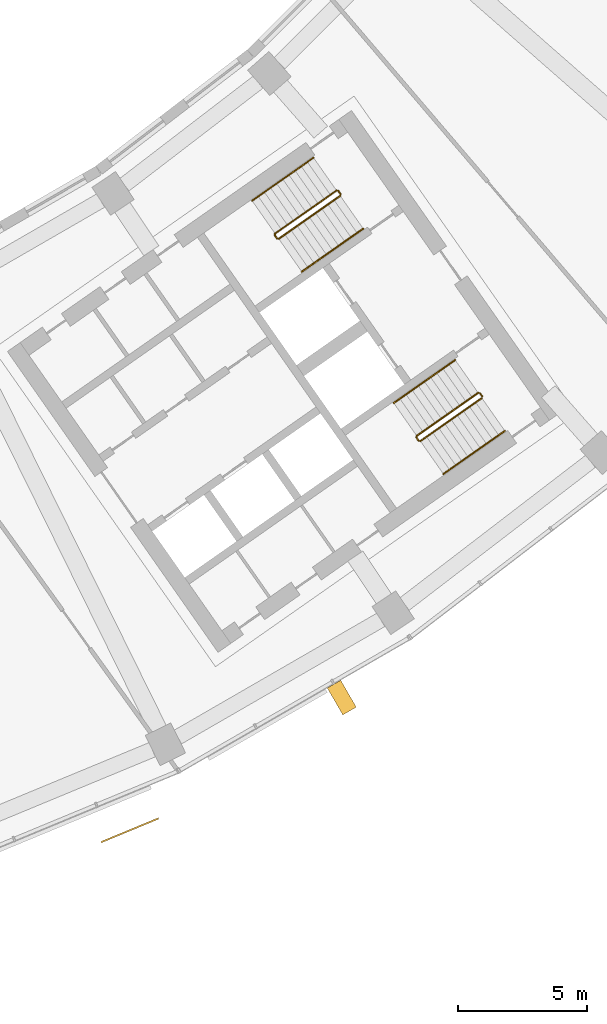
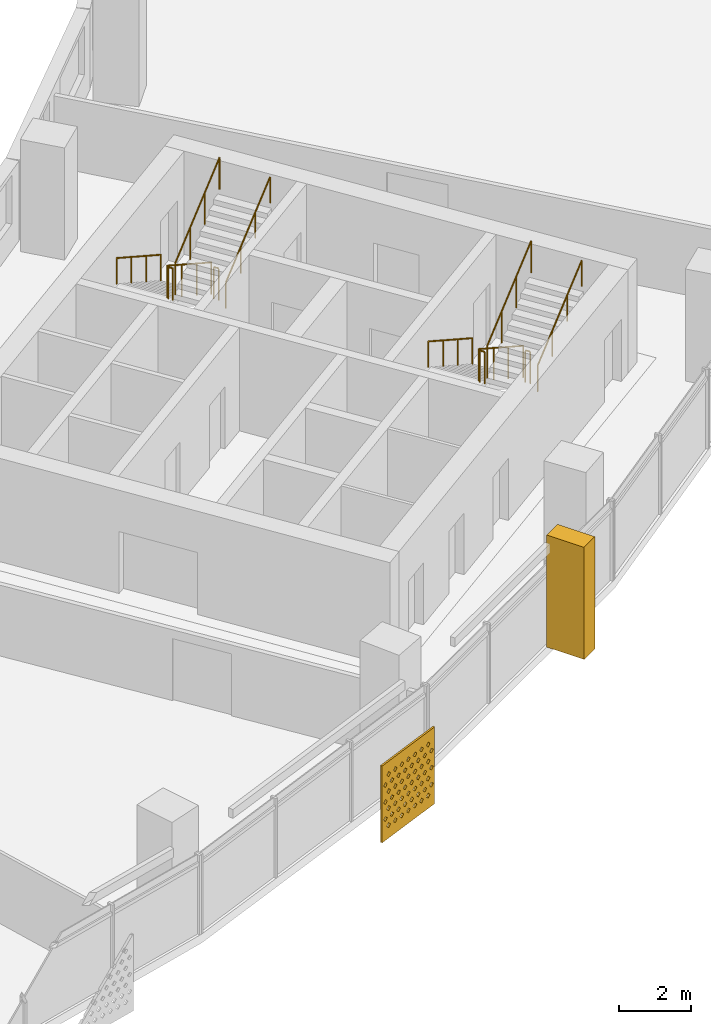
# One storey, part 26 of 27: 10 railings, 2 shading devices.
"""IFC4 building model written with IfcOpenShell, lengths in metres."""

from ifc_helpers import new_model, si_unit, direction, frame, origin, origin_2d, place, context, subcontext, project, spatial, polyline, circle, outline, extrude, material, material_profile, profile_set, type_object, element, save


model = new_model("IFC4")

# Units and contexts
model_context = context("Model", 3, precision=1e-05, world=origin(), true_north=direction((0.0, 1.0)))
body_context = subcontext(model_context, "Body", "Model", "MODEL_VIEW")
ifc_project = project(units=[si_unit("LENGTHUNIT", "METRE"), si_unit("AREAUNIT", "SQUARE_METRE"), si_unit("VOLUMEUNIT", "CUBIC_METRE"), si_unit("PLANEANGLEUNIT", "RADIAN"), si_unit("MASSUNIT", "GRAM", prefix="KILO")], contexts=[model_context])

# Site, building, storey
site_placement = place(None, origin())
site = spatial("IfcSite", under=ifc_project, at=site_placement, CompositionType="ELEMENT")
building_placement = place(site_placement, origin())
building = spatial("IfcBuilding", under=site, at=building_placement, Name="Qamariyya Broadcast Tower", CompositionType="ELEMENT")
storey_placement = place(building_placement, frame((0.0, 0.0, 175.89990234375)))
storey = spatial("IfcBuildingStorey", under=building, at=storey_placement, Name="L41", CompositionType="ELEMENT", Elevation=175.89990234375)

# Shading devices
ifc_material_1 = material(Name="Steel S355 powder coated deep red", Category="steel")
shading_device_type_1 = type_object("IfcShadingDeviceType", Name="Deep red frame, powder coated steel box section", PredefinedType="USERDEFINED", material=ifc_material_1)
shading_device_1_placement = place(storey_placement, origin())
element("IfcShadingDevice", 1, at=shading_device_1_placement, inside=storey, type_object=shading_device_type_1, Name="e-frm-B3-F5-posta-L41", ObjectType="FRAME", PredefinedType="USERDEFINED", context=body_context, shape_type="SweptSolid", body=[
    extrude(outline(polyline([(40.647216796875, -67.558349609375), (41.2470703125, -68.59765625), (41.766845703125, -68.297607421875), (41.166748046875, -67.25830078125), (40.647216796875, -67.558349609375)])), origin(), (0.0, 0.0, 1.0), 3.800048828125),
])
ifc_material_2 = material(Name="Perforated glazed terracotta", Category="masonry")
ifc_material_profile = material_profile(ifc_material_2, outline(polyline([(-1.199951171875, -1.300048828125), (1.199951171875, -1.300048828125), (1.199951171875, 1.300048828125), (-1.199951171875, 1.300048828125), (-1.199951171875, -1.300048828125)]), holes=[polyline([(-0.81494140625, -0.86669921875), (-0.89990234375, -0.78173828125), (-0.985107421875, -0.86669921875), (-0.89990234375, -0.95166015625), (-0.81494140625, -0.86669921875)]), polyline([(-0.514892578125, -0.86669921875), (-0.60009765625, -0.78173828125), (-0.68505859375, -0.86669921875), (-0.60009765625, -0.95166015625), (-0.514892578125, -0.86669921875)]), polyline([(-0.215087890625, -0.86669921875), (-0.300048828125, -0.78173828125), (-0.385009765625, -0.86669921875), (-0.300048828125, -0.95166015625), (-0.215087890625, -0.86669921875)]), polyline([(0.0849609375, -0.86669921875), (0.0, -0.78173828125), (-0.0849609375, -0.86669921875), (0.0, -0.95166015625), (0.0849609375, -0.86669921875)]), polyline([(0.385009765625, -0.86669921875), (0.300048828125, -0.78173828125), (0.215087890625, -0.86669921875), (0.300048828125, -0.95166015625), (0.385009765625, -0.86669921875)]), polyline([(0.68505859375, -0.86669921875), (0.60009765625, -0.78173828125), (0.514892578125, -0.86669921875), (0.60009765625, -0.95166015625), (0.68505859375, -0.86669921875)]), polyline([(0.985107421875, -0.86669921875), (0.89990234375, -0.78173828125), (0.81494140625, -0.86669921875), (0.89990234375, -0.95166015625), (0.985107421875, -0.86669921875)]), polyline([(-0.965087890625, -0.577880859375), (-1.050048828125, -0.49267578125), (-1.135009765625, -0.577880859375), (-1.050048828125, -0.662841796875), (-0.965087890625, -0.577880859375)]), polyline([(-0.6650390625, -0.577880859375), (-0.75, -0.49267578125), (-0.8349609375, -0.577880859375), (-0.75, -0.662841796875), (-0.6650390625, -0.577880859375)]), polyline([(-0.364990234375, -0.577880859375), (-0.449951171875, -0.49267578125), (-0.534912109375, -0.577880859375), (-0.449951171875, -0.662841796875), (-0.364990234375, -0.577880859375)]), polyline([(-0.06494140625, -0.577880859375), (-0.14990234375, -0.49267578125), (-0.235107421875, -0.577880859375), (-0.14990234375, -0.662841796875), (-0.06494140625, -0.577880859375)]), polyline([(0.235107421875, -0.577880859375), (0.14990234375, -0.49267578125), (0.06494140625, -0.577880859375), (0.14990234375, -0.662841796875), (0.235107421875, -0.577880859375)]), polyline([(0.534912109375, -0.577880859375), (0.449951171875, -0.49267578125), (0.364990234375, -0.577880859375), (0.449951171875, -0.662841796875), (0.534912109375, -0.577880859375)]), polyline([(0.8349609375, -0.577880859375), (0.75, -0.49267578125), (0.6650390625, -0.577880859375), (0.75, -0.662841796875), (0.8349609375, -0.577880859375)]), polyline([(1.135009765625, -0.577880859375), (1.050048828125, -0.49267578125), (0.965087890625, -0.577880859375), (1.050048828125, -0.662841796875), (1.135009765625, -0.577880859375)]), polyline([(-0.81494140625, -0.288818359375), (-0.89990234375, -0.203857421875), (-0.985107421875, -0.288818359375), (-0.89990234375, -0.373779296875), (-0.81494140625, -0.288818359375)]), polyline([(-0.514892578125, -0.288818359375), (-0.60009765625, -0.203857421875), (-0.68505859375, -0.288818359375), (-0.60009765625, -0.373779296875), (-0.514892578125, -0.288818359375)]), polyline([(-0.215087890625, -0.288818359375), (-0.300048828125, -0.203857421875), (-0.385009765625, -0.288818359375), (-0.300048828125, -0.373779296875), (-0.215087890625, -0.288818359375)]), polyline([(0.0849609375, -0.288818359375), (0.0, -0.203857421875), (-0.0849609375, -0.288818359375), (0.0, -0.373779296875), (0.0849609375, -0.288818359375)]), polyline([(0.385009765625, -0.288818359375), (0.300048828125, -0.203857421875), (0.215087890625, -0.288818359375), (0.300048828125, -0.373779296875), (0.385009765625, -0.288818359375)]), polyline([(0.68505859375, -0.288818359375), (0.60009765625, -0.203857421875), (0.514892578125, -0.288818359375), (0.60009765625, -0.373779296875), (0.68505859375, -0.288818359375)]), polyline([(0.985107421875, -0.288818359375), (0.89990234375, -0.203857421875), (0.81494140625, -0.288818359375), (0.89990234375, -0.373779296875), (0.985107421875, -0.288818359375)]), polyline([(-0.965087890625, 0.0), (-1.050048828125, 0.0849609375), (-1.135009765625, 0.0), (-1.050048828125, -0.0849609375), (-0.965087890625, 0.0)]), polyline([(-0.6650390625, 0.0), (-0.75, 0.0849609375), (-0.8349609375, 0.0), (-0.75, -0.0849609375), (-0.6650390625, 0.0)]), polyline([(-0.364990234375, 0.0), (-0.449951171875, 0.0849609375), (-0.534912109375, 0.0), (-0.449951171875, -0.0849609375), (-0.364990234375, 0.0)]), polyline([(-0.06494140625, 0.0), (-0.14990234375, 0.0849609375), (-0.235107421875, 0.0), (-0.14990234375, -0.0849609375), (-0.06494140625, 0.0)]), polyline([(0.235107421875, 0.0), (0.14990234375, 0.0849609375), (0.06494140625, 0.0), (0.14990234375, -0.0849609375), (0.235107421875, 0.0)]), polyline([(0.534912109375, 0.0), (0.449951171875, 0.0849609375), (0.364990234375, 0.0), (0.449951171875, -0.0849609375), (0.534912109375, 0.0)]), polyline([(0.8349609375, 0.0), (0.75, 0.0849609375), (0.6650390625, 0.0), (0.75, -0.0849609375), (0.8349609375, 0.0)]), polyline([(1.135009765625, 0.0), (1.050048828125, 0.0849609375), (0.965087890625, 0.0), (1.050048828125, -0.0849609375), (1.135009765625, 0.0)]), polyline([(-0.81494140625, 0.288818359375), (-0.89990234375, 0.373779296875), (-0.985107421875, 0.288818359375), (-0.89990234375, 0.203857421875), (-0.81494140625, 0.288818359375)]), polyline([(-0.514892578125, 0.288818359375), (-0.60009765625, 0.373779296875), (-0.68505859375, 0.288818359375), (-0.60009765625, 0.203857421875), (-0.514892578125, 0.288818359375)]), polyline([(-0.215087890625, 0.288818359375), (-0.300048828125, 0.373779296875), (-0.385009765625, 0.288818359375), (-0.300048828125, 0.203857421875), (-0.215087890625, 0.288818359375)]), polyline([(0.0849609375, 0.288818359375), (0.0, 0.373779296875), (-0.0849609375, 0.288818359375), (0.0, 0.203857421875), (0.0849609375, 0.288818359375)]), polyline([(0.385009765625, 0.288818359375), (0.300048828125, 0.373779296875), (0.215087890625, 0.288818359375), (0.300048828125, 0.203857421875), (0.385009765625, 0.288818359375)]), polyline([(0.68505859375, 0.288818359375), (0.60009765625, 0.373779296875), (0.514892578125, 0.288818359375), (0.60009765625, 0.203857421875), (0.68505859375, 0.288818359375)]), polyline([(0.985107421875, 0.288818359375), (0.89990234375, 0.373779296875), (0.81494140625, 0.288818359375), (0.89990234375, 0.203857421875), (0.985107421875, 0.288818359375)]), polyline([(-0.965087890625, 0.577880859375), (-1.050048828125, 0.662841796875), (-1.135009765625, 0.577880859375), (-1.050048828125, 0.49267578125), (-0.965087890625, 0.577880859375)]), polyline([(-0.6650390625, 0.577880859375), (-0.75, 0.662841796875), (-0.8349609375, 0.577880859375), (-0.75, 0.49267578125), (-0.6650390625, 0.577880859375)]), polyline([(-0.364990234375, 0.577880859375), (-0.449951171875, 0.662841796875), (-0.534912109375, 0.577880859375), (-0.449951171875, 0.49267578125), (-0.364990234375, 0.577880859375)]), polyline([(-0.06494140625, 0.577880859375), (-0.14990234375, 0.662841796875), (-0.235107421875, 0.577880859375), (-0.14990234375, 0.49267578125), (-0.06494140625, 0.577880859375)]), polyline([(0.235107421875, 0.577880859375), (0.14990234375, 0.662841796875), (0.06494140625, 0.577880859375), (0.14990234375, 0.49267578125), (0.235107421875, 0.577880859375)]), polyline([(0.534912109375, 0.577880859375), (0.449951171875, 0.662841796875), (0.364990234375, 0.577880859375), (0.449951171875, 0.49267578125), (0.534912109375, 0.577880859375)]), polyline([(0.8349609375, 0.577880859375), (0.75, 0.662841796875), (0.6650390625, 0.577880859375), (0.75, 0.49267578125), (0.8349609375, 0.577880859375)]), polyline([(1.135009765625, 0.577880859375), (1.050048828125, 0.662841796875), (0.965087890625, 0.577880859375), (1.050048828125, 0.49267578125), (1.135009765625, 0.577880859375)]), polyline([(-0.81494140625, 0.86669921875), (-0.89990234375, 0.95166015625), (-0.985107421875, 0.86669921875), (-0.89990234375, 0.78173828125), (-0.81494140625, 0.86669921875)]), polyline([(-0.514892578125, 0.86669921875), (-0.60009765625, 0.95166015625), (-0.68505859375, 0.86669921875), (-0.60009765625, 0.78173828125), (-0.514892578125, 0.86669921875)]), polyline([(-0.215087890625, 0.86669921875), (-0.300048828125, 0.95166015625), (-0.385009765625, 0.86669921875), (-0.300048828125, 0.78173828125), (-0.215087890625, 0.86669921875)]), polyline([(0.0849609375, 0.86669921875), (0.0, 0.95166015625), (-0.0849609375, 0.86669921875), (0.0, 0.78173828125), (0.0849609375, 0.86669921875)]), polyline([(0.385009765625, 0.86669921875), (0.300048828125, 0.95166015625), (0.215087890625, 0.86669921875), (0.300048828125, 0.78173828125), (0.385009765625, 0.86669921875)]), polyline([(0.68505859375, 0.86669921875), (0.60009765625, 0.95166015625), (0.514892578125, 0.86669921875), (0.60009765625, 0.78173828125), (0.68505859375, 0.86669921875)]), polyline([(0.985107421875, 0.86669921875), (0.89990234375, 0.95166015625), (0.81494140625, 0.86669921875), (0.89990234375, 0.78173828125), (0.985107421875, 0.86669921875)])]))
ifc_profile_set = profile_set([ifc_material_profile], Name="Perforated glazed terracotta")
shading_device_type_2 = type_object("IfcShadingDeviceType", Name="Perforated terracotta screen 2400 x 2600", PredefinedType="USERDEFINED", material=ifc_profile_set)
shading_device_2_placement = place(storey_placement, frame((33.00146484375, -73.03076171875, 1.35009765625), z_axis=(0.382591441855, -0.923917630863, 0.0), x_axis=(0.923917630863, 0.382591441855, 0.0)))
element("IfcShadingDevice", 2, at=shading_device_2_placement, inside=storey, type_object=shading_device_type_2, Name="e-scr-L41-10-2", ObjectType="SCREEN", PredefinedType="USERDEFINED", context=body_context, shape_type="SweptSolid", body=[
    extrude(outline(polyline([(-1.199951171875, -1.300048828125), (1.199951171875, -1.300048828125), (1.199951171875, 1.300048828125), (-1.199951171875, 1.300048828125), (-1.199951171875, -1.300048828125)]), holes=[polyline([(-0.81494140625, -0.86669921875), (-0.89990234375, -0.78173828125), (-0.985107421875, -0.86669921875), (-0.89990234375, -0.95166015625), (-0.81494140625, -0.86669921875)]), polyline([(-0.514892578125, -0.86669921875), (-0.60009765625, -0.78173828125), (-0.68505859375, -0.86669921875), (-0.60009765625, -0.95166015625), (-0.514892578125, -0.86669921875)]), polyline([(-0.215087890625, -0.86669921875), (-0.300048828125, -0.78173828125), (-0.385009765625, -0.86669921875), (-0.300048828125, -0.95166015625), (-0.215087890625, -0.86669921875)]), polyline([(0.0849609375, -0.86669921875), (0.0, -0.78173828125), (-0.0849609375, -0.86669921875), (0.0, -0.95166015625), (0.0849609375, -0.86669921875)]), polyline([(0.385009765625, -0.86669921875), (0.300048828125, -0.78173828125), (0.215087890625, -0.86669921875), (0.300048828125, -0.95166015625), (0.385009765625, -0.86669921875)]), polyline([(0.68505859375, -0.86669921875), (0.60009765625, -0.78173828125), (0.514892578125, -0.86669921875), (0.60009765625, -0.95166015625), (0.68505859375, -0.86669921875)]), polyline([(0.985107421875, -0.86669921875), (0.89990234375, -0.78173828125), (0.81494140625, -0.86669921875), (0.89990234375, -0.95166015625), (0.985107421875, -0.86669921875)]), polyline([(-0.965087890625, -0.577880859375), (-1.050048828125, -0.49267578125), (-1.135009765625, -0.577880859375), (-1.050048828125, -0.662841796875), (-0.965087890625, -0.577880859375)]), polyline([(-0.6650390625, -0.577880859375), (-0.75, -0.49267578125), (-0.8349609375, -0.577880859375), (-0.75, -0.662841796875), (-0.6650390625, -0.577880859375)]), polyline([(-0.364990234375, -0.577880859375), (-0.449951171875, -0.49267578125), (-0.534912109375, -0.577880859375), (-0.449951171875, -0.662841796875), (-0.364990234375, -0.577880859375)]), polyline([(-0.06494140625, -0.577880859375), (-0.14990234375, -0.49267578125), (-0.235107421875, -0.577880859375), (-0.14990234375, -0.662841796875), (-0.06494140625, -0.577880859375)]), polyline([(0.235107421875, -0.577880859375), (0.14990234375, -0.49267578125), (0.06494140625, -0.577880859375), (0.14990234375, -0.662841796875), (0.235107421875, -0.577880859375)]), polyline([(0.534912109375, -0.577880859375), (0.449951171875, -0.49267578125), (0.364990234375, -0.577880859375), (0.449951171875, -0.662841796875), (0.534912109375, -0.577880859375)]), polyline([(0.8349609375, -0.577880859375), (0.75, -0.49267578125), (0.6650390625, -0.577880859375), (0.75, -0.662841796875), (0.8349609375, -0.577880859375)]), polyline([(1.135009765625, -0.577880859375), (1.050048828125, -0.49267578125), (0.965087890625, -0.577880859375), (1.050048828125, -0.662841796875), (1.135009765625, -0.577880859375)]), polyline([(-0.81494140625, -0.288818359375), (-0.89990234375, -0.203857421875), (-0.985107421875, -0.288818359375), (-0.89990234375, -0.373779296875), (-0.81494140625, -0.288818359375)]), polyline([(-0.514892578125, -0.288818359375), (-0.60009765625, -0.203857421875), (-0.68505859375, -0.288818359375), (-0.60009765625, -0.373779296875), (-0.514892578125, -0.288818359375)]), polyline([(-0.215087890625, -0.288818359375), (-0.300048828125, -0.203857421875), (-0.385009765625, -0.288818359375), (-0.300048828125, -0.373779296875), (-0.215087890625, -0.288818359375)]), polyline([(0.0849609375, -0.288818359375), (0.0, -0.203857421875), (-0.0849609375, -0.288818359375), (0.0, -0.373779296875), (0.0849609375, -0.288818359375)]), polyline([(0.385009765625, -0.288818359375), (0.300048828125, -0.203857421875), (0.215087890625, -0.288818359375), (0.300048828125, -0.373779296875), (0.385009765625, -0.288818359375)]), polyline([(0.68505859375, -0.288818359375), (0.60009765625, -0.203857421875), (0.514892578125, -0.288818359375), (0.60009765625, -0.373779296875), (0.68505859375, -0.288818359375)]), polyline([(0.985107421875, -0.288818359375), (0.89990234375, -0.203857421875), (0.81494140625, -0.288818359375), (0.89990234375, -0.373779296875), (0.985107421875, -0.288818359375)]), polyline([(-0.965087890625, 0.0), (-1.050048828125, 0.0849609375), (-1.135009765625, 0.0), (-1.050048828125, -0.0849609375), (-0.965087890625, 0.0)]), polyline([(-0.6650390625, 0.0), (-0.75, 0.0849609375), (-0.8349609375, 0.0), (-0.75, -0.0849609375), (-0.6650390625, 0.0)]), polyline([(-0.364990234375, 0.0), (-0.449951171875, 0.0849609375), (-0.534912109375, 0.0), (-0.449951171875, -0.0849609375), (-0.364990234375, 0.0)]), polyline([(-0.06494140625, 0.0), (-0.14990234375, 0.0849609375), (-0.235107421875, 0.0), (-0.14990234375, -0.0849609375), (-0.06494140625, 0.0)]), polyline([(0.235107421875, 0.0), (0.14990234375, 0.0849609375), (0.06494140625, 0.0), (0.14990234375, -0.0849609375), (0.235107421875, 0.0)]), polyline([(0.534912109375, 0.0), (0.449951171875, 0.0849609375), (0.364990234375, 0.0), (0.449951171875, -0.0849609375), (0.534912109375, 0.0)]), polyline([(0.8349609375, 0.0), (0.75, 0.0849609375), (0.6650390625, 0.0), (0.75, -0.0849609375), (0.8349609375, 0.0)]), polyline([(1.135009765625, 0.0), (1.050048828125, 0.0849609375), (0.965087890625, 0.0), (1.050048828125, -0.0849609375), (1.135009765625, 0.0)]), polyline([(-0.81494140625, 0.288818359375), (-0.89990234375, 0.373779296875), (-0.985107421875, 0.288818359375), (-0.89990234375, 0.203857421875), (-0.81494140625, 0.288818359375)]), polyline([(-0.514892578125, 0.288818359375), (-0.60009765625, 0.373779296875), (-0.68505859375, 0.288818359375), (-0.60009765625, 0.203857421875), (-0.514892578125, 0.288818359375)]), polyline([(-0.215087890625, 0.288818359375), (-0.300048828125, 0.373779296875), (-0.385009765625, 0.288818359375), (-0.300048828125, 0.203857421875), (-0.215087890625, 0.288818359375)]), polyline([(0.0849609375, 0.288818359375), (0.0, 0.373779296875), (-0.0849609375, 0.288818359375), (0.0, 0.203857421875), (0.0849609375, 0.288818359375)]), polyline([(0.385009765625, 0.288818359375), (0.300048828125, 0.373779296875), (0.215087890625, 0.288818359375), (0.300048828125, 0.203857421875), (0.385009765625, 0.288818359375)]), polyline([(0.68505859375, 0.288818359375), (0.60009765625, 0.373779296875), (0.514892578125, 0.288818359375), (0.60009765625, 0.203857421875), (0.68505859375, 0.288818359375)]), polyline([(0.985107421875, 0.288818359375), (0.89990234375, 0.373779296875), (0.81494140625, 0.288818359375), (0.89990234375, 0.203857421875), (0.985107421875, 0.288818359375)]), polyline([(-0.965087890625, 0.577880859375), (-1.050048828125, 0.662841796875), (-1.135009765625, 0.577880859375), (-1.050048828125, 0.49267578125), (-0.965087890625, 0.577880859375)]), polyline([(-0.6650390625, 0.577880859375), (-0.75, 0.662841796875), (-0.8349609375, 0.577880859375), (-0.75, 0.49267578125), (-0.6650390625, 0.577880859375)]), polyline([(-0.364990234375, 0.577880859375), (-0.449951171875, 0.662841796875), (-0.534912109375, 0.577880859375), (-0.449951171875, 0.49267578125), (-0.364990234375, 0.577880859375)]), polyline([(-0.06494140625, 0.577880859375), (-0.14990234375, 0.662841796875), (-0.235107421875, 0.577880859375), (-0.14990234375, 0.49267578125), (-0.06494140625, 0.577880859375)]), polyline([(0.235107421875, 0.577880859375), (0.14990234375, 0.662841796875), (0.06494140625, 0.577880859375), (0.14990234375, 0.49267578125), (0.235107421875, 0.577880859375)]), polyline([(0.534912109375, 0.577880859375), (0.449951171875, 0.662841796875), (0.364990234375, 0.577880859375), (0.449951171875, 0.49267578125), (0.534912109375, 0.577880859375)]), polyline([(0.8349609375, 0.577880859375), (0.75, 0.662841796875), (0.6650390625, 0.577880859375), (0.75, 0.49267578125), (0.8349609375, 0.577880859375)]), polyline([(1.135009765625, 0.577880859375), (1.050048828125, 0.662841796875), (0.965087890625, 0.577880859375), (1.050048828125, 0.49267578125), (1.135009765625, 0.577880859375)]), polyline([(-0.81494140625, 0.86669921875), (-0.89990234375, 0.95166015625), (-0.985107421875, 0.86669921875), (-0.89990234375, 0.78173828125), (-0.81494140625, 0.86669921875)]), polyline([(-0.514892578125, 0.86669921875), (-0.60009765625, 0.95166015625), (-0.68505859375, 0.86669921875), (-0.60009765625, 0.78173828125), (-0.514892578125, 0.86669921875)]), polyline([(-0.215087890625, 0.86669921875), (-0.300048828125, 0.95166015625), (-0.385009765625, 0.86669921875), (-0.300048828125, 0.78173828125), (-0.215087890625, 0.86669921875)]), polyline([(0.0849609375, 0.86669921875), (0.0, 0.95166015625), (-0.0849609375, 0.86669921875), (0.0, 0.78173828125), (0.0849609375, 0.86669921875)]), polyline([(0.385009765625, 0.86669921875), (0.300048828125, 0.95166015625), (0.215087890625, 0.86669921875), (0.300048828125, 0.78173828125), (0.385009765625, 0.86669921875)]), polyline([(0.68505859375, 0.86669921875), (0.60009765625, 0.95166015625), (0.514892578125, 0.86669921875), (0.60009765625, 0.78173828125), (0.68505859375, 0.86669921875)]), polyline([(0.985107421875, 0.86669921875), (0.89990234375, 0.95166015625), (0.81494140625, 0.86669921875), (0.89990234375, 0.78173828125), (0.985107421875, 0.86669921875)])]), origin(), (0.0, 0.0, 1.0), 0.06005859375),
])

# Railings
ifc_material_3 = material(Name="Painted steel", Category="steel")
railing_type_1 = type_object("IfcRailingType", Name="Stair guard", PredefinedType="GUARDRAIL", material=ifc_material_3)
railing_1_placement = place(storey_placement, frame((41.003173828125, -48.320068359375, 0.1728515625)))
element("IfcRailing", 3, at=railing_1_placement, inside=storey, type_object=railing_type_1, Name="L41 ST-E2 stair guard 1", PredefinedType="GUARDRAIL", context=body_context, shape_type="SweptSolid", body=[
    extrude(circle(Radius=0.02392578125, at=origin_2d()), frame((0.0, 0.0, 1.076171875), z_axis=(-0.703770094002, -0.492783725636, 0.511734163933), x_axis=(0.573575343427, -0.819152809562, 0.0)), (0.0, 0.0, 1.0), 3.37548828125),
    extrude(circle(Radius=0.02392578125, at=origin_2d()), frame((-2.37548828125, -1.663330078125, 2.80322265625), z_axis=(-0.172799478008, -0.984957024646, 0.0), x_axis=(0.984957024646, -0.172799478008, 0.0)), (0.0, 0.0, 1.0), 0.070556640625),
    extrude(circle(Radius=0.02392578125, at=origin_2d()), frame((-2.3876953125, -1.73291015625, 2.80322265625), z_axis=(0.572588637393, -0.819842821722, 0.0), x_axis=(0.819842821722, 0.572588637393, 0.0)), (0.0, 0.0, 1.0), 0.150146484375),
    extrude(circle(Radius=0.02099609375, at=origin_2d()), origin(), (0.0, 0.0, 1.0), 1.052001953125),
    extrude(circle(Radius=0.02099609375, at=origin_2d()), frame((-0.791748046875, -0.554443359375, 0.57568359375)), (0.0, 0.0, 1.0), 1.052001953125),
    extrude(circle(Radius=0.02099609375, at=origin_2d()), frame((-1.583740234375, -1.10888671875, 1.151611328125)), (0.0, 0.0, 1.0), 1.052001953125),
    extrude(circle(Radius=0.02099609375, at=origin_2d()), frame((-2.37548828125, -1.663330078125, 1.727294921875)), (0.0, 0.0, 1.0), 1.052001953125),
    extrude(circle(Radius=0.02099609375, at=origin_2d()), frame((-2.3876953125, -1.73291015625, 1.727294921875)), (0.0, 0.0, 1.0), 1.052001953125),
    extrude(circle(Radius=0.02099609375, at=origin_2d()), frame((-2.3017578125, -1.85595703125, 1.727294921875)), (0.0, 0.0, 1.0), 1.052001953125),
])
railing_2_placement = place(storey_placement, frame((38.771240234375, -50.188232421875, 2.07275390625)))
element("IfcRailing", 4, at=railing_2_placement, inside=storey, type_object=railing_type_1, Name="L41 ST-E2 stair guard 2", PredefinedType="GUARDRAIL", context=body_context, shape_type="SweptSolid", body=[
    extrude(circle(Radius=0.02392578125, at=origin_2d()), frame((0.0, 0.0, 1.076171875), z_axis=(0.703770094002, 0.492783725636, 0.511734163933), x_axis=(-0.573575343427, 0.819152809562, 0.0)), (0.0, 0.0, 1.0), 3.37548828125),
    extrude(circle(Radius=0.02099609375, at=origin_2d()), origin(), (0.0, 0.0, 1.0), 1.052001953125),
    extrude(circle(Radius=0.02099609375, at=origin_2d()), frame((0.791748046875, 0.554443359375, 0.57568359375)), (0.0, 0.0, 1.0), 1.052001953125),
    extrude(circle(Radius=0.02099609375, at=origin_2d()), frame((1.583740234375, 1.10888671875, 1.151611328125)), (0.0, 0.0, 1.0), 1.052001953125),
    extrude(circle(Radius=0.02099609375, at=origin_2d()), frame((2.37548828125, 1.663330078125, 1.727294921875)), (0.0, 0.0, 1.0), 1.052001953125),
])
railing_3_placement = place(storey_placement, frame((41.072998046875, -48.332275390625, 0.0)))
element("IfcRailing", 5, at=railing_3_placement, inside=storey, type_object=railing_type_1, Name="L41 ST-E2 stair guard 3", PredefinedType="GUARDRAIL", context=body_context, shape_type="SweptSolid", body=[
    extrude(circle(Radius=0.02392578125, at=origin_2d()), frame((0.0, 0.0, 1.076171875), z_axis=(0.572588637393, -0.819842821722, 0.0), x_axis=(0.819842821722, 0.572588637393, 0.0)), (0.0, 0.0, 1.0), 0.150146484375),
    extrude(circle(Radius=0.02099609375, at=origin_2d()), origin(), (0.0, 0.0, 1.0), 1.052001953125),
    extrude(circle(Radius=0.02099609375, at=origin_2d()), frame((0.0859375, -0.123046875, 0.0)), (0.0, 0.0, 1.0), 1.052001953125),
])
railing_4_placement = place(storey_placement, frame((46.48095703125, -56.14306640625, 0.1728515625)))
element("IfcRailing", 6, at=railing_4_placement, inside=storey, type_object=railing_type_1, Name="L41 ST-E1 stair guard 1", PredefinedType="GUARDRAIL", context=body_context, shape_type="SweptSolid", body=[
    extrude(circle(Radius=0.02392578125, at=origin_2d()), frame((0.0, 0.0, 1.076171875), z_axis=(-0.703770094002, -0.492783725636, 0.511734163933), x_axis=(0.573575343427, -0.819152809562, 0.0)), (0.0, 0.0, 1.0), 3.37548828125),
    extrude(circle(Radius=0.02392578125, at=origin_2d()), frame((-2.37548828125, -1.663330078125, 2.80322265625), z_axis=(-0.176149252506, -0.984363469884, 0.0), x_axis=(0.984363469884, -0.176149252506, 0.0)), (0.0, 0.0, 1.0), 0.07080078125),
    extrude(circle(Radius=0.02392578125, at=origin_2d()), frame((-2.387939453125, -1.73291015625, 2.80322265625), z_axis=(0.574444878118, -0.818543268254, 0.0), x_axis=(0.818543268254, 0.574444878118, 0.0)), (0.0, 0.0, 1.0), 0.150146484375),
    extrude(circle(Radius=0.02099609375, at=origin_2d()), origin(), (0.0, 0.0, 1.0), 1.052001953125),
    extrude(circle(Radius=0.02099609375, at=origin_2d()), frame((-0.791748046875, -0.554443359375, 0.57568359375)), (0.0, 0.0, 1.0), 1.052001953125),
    extrude(circle(Radius=0.02099609375, at=origin_2d()), frame((-1.583740234375, -1.10888671875, 1.151611328125)), (0.0, 0.0, 1.0), 1.052001953125),
    extrude(circle(Radius=0.02099609375, at=origin_2d()), frame((-2.37548828125, -1.663330078125, 1.727294921875)), (0.0, 0.0, 1.0), 1.052001953125),
    extrude(circle(Radius=0.02099609375, at=origin_2d()), frame((-2.387939453125, -1.73291015625, 1.727294921875)), (0.0, 0.0, 1.0), 1.052001953125),
    extrude(circle(Radius=0.02099609375, at=origin_2d()), frame((-2.3017578125, -1.855712890625, 1.727294921875)), (0.0, 0.0, 1.0), 1.052001953125),
])
railing_5_placement = place(storey_placement, frame((44.248779296875, -58.01123046875, 2.07275390625)))
element("IfcRailing", 7, at=railing_5_placement, inside=storey, type_object=railing_type_1, Name="L41 ST-E1 stair guard 2", PredefinedType="GUARDRAIL", context=body_context, shape_type="SweptSolid", body=[
    extrude(circle(Radius=0.02392578125, at=origin_2d()), frame((0.0, 0.0, 1.076171875), z_axis=(0.703745009021, 0.492838488332, 0.511715923826), x_axis=(-0.573631830683, 0.819113253969, 0.0)), (0.0, 0.0, 1.0), 3.37548828125),
    extrude(circle(Radius=0.02099609375, at=origin_2d()), origin(), (0.0, 0.0, 1.0), 1.052001953125),
    extrude(circle(Radius=0.02099609375, at=origin_2d()), frame((0.791748046875, 0.554443359375, 0.57568359375)), (0.0, 0.0, 1.0), 1.052001953125),
    extrude(circle(Radius=0.02099609375, at=origin_2d()), frame((1.583740234375, 1.109130859375, 1.151611328125)), (0.0, 0.0, 1.0), 1.052001953125),
    extrude(circle(Radius=0.02099609375, at=origin_2d()), frame((2.37548828125, 1.66357421875, 1.727294921875)), (0.0, 0.0, 1.0), 1.052001953125),
])
railing_6_placement = place(storey_placement, frame((46.550537109375, -56.1552734375, 0.0)))
element("IfcRailing", 8, at=railing_6_placement, inside=storey, type_object=railing_type_1, Name="L41 ST-E1 stair guard 3", PredefinedType="GUARDRAIL", context=body_context, shape_type="SweptSolid", body=[
    extrude(circle(Radius=0.02392578125, at=origin_2d()), frame((0.0, 0.0, 1.076171875), z_axis=(0.574444878118, -0.818543268254, 0.0), x_axis=(0.818543268254, 0.574444878118, 0.0)), (0.0, 0.0, 1.0), 0.150146484375),
    extrude(circle(Radius=0.02099609375, at=origin_2d()), origin(), (0.0, 0.0, 1.0), 1.052001953125),
    extrude(circle(Radius=0.02099609375, at=origin_2d()), frame((0.086181640625, -0.122802734375, 0.0)), (0.0, 0.0, 1.0), 1.052001953125),
])
ifc_material_4 = material(Name="Stainless steel", Category="steel")
railing_type_2 = type_object("IfcRailingType", Name="Stair handrail", PredefinedType="HANDRAIL", material=ifc_material_4)
railing_7_placement = place(storey_placement, frame((40.1142578125, -47.05029296875, 0.1728515625)))
element("IfcRailing", 9, at=railing_7_placement, inside=storey, type_object=railing_type_2, Name="L41 ST-E2 stair handrail 1", PredefinedType="HANDRAIL", context=body_context, shape_type="SweptSolid", body=[
    extrude(circle(Radius=0.02392578125, at=origin_2d()), frame((0.0, 0.0, 0.8759765625), z_axis=(-0.703745009021, -0.492838488332, 0.511715923826), x_axis=(0.573631830683, -0.819113253969, 0.0)), (0.0, 0.0, 1.0), 3.37548828125),
    extrude(circle(Radius=0.02099609375, at=origin_2d()), origin(), (0.0, 0.0, 1.0), 0.851806640625),
    extrude(circle(Radius=0.02099609375, at=origin_2d()), frame((-0.791748046875, -0.554443359375, 0.57568359375)), (0.0, 0.0, 1.0), 0.851806640625),
    extrude(circle(Radius=0.02099609375, at=origin_2d()), frame((-1.583740234375, -1.109130859375, 1.151611328125)), (0.0, 0.0, 1.0), 0.851806640625),
    extrude(circle(Radius=0.02099609375, at=origin_2d()), frame((-2.37548828125, -1.66357421875, 1.727294921875)), (0.0, 0.0, 1.0), 0.851806640625),
])
railing_8_placement = place(storey_placement, frame((39.66015625, -51.4580078125, 2.07275390625)))
element("IfcRailing", 10, at=railing_8_placement, inside=storey, type_object=railing_type_2, Name="L41 ST-E2 stair handrail 2", PredefinedType="HANDRAIL", context=body_context, shape_type="SweptSolid", body=[
    extrude(circle(Radius=0.02392578125, at=origin_2d()), frame((0.0, 0.0, 0.8759765625), z_axis=(0.703745009021, 0.492838488332, 0.511715923826), x_axis=(-0.573631830683, 0.819113253969, 0.0)), (0.0, 0.0, 1.0), 3.37548828125),
    extrude(circle(Radius=0.02099609375, at=origin_2d()), origin(), (0.0, 0.0, 1.0), 0.851806640625),
    extrude(circle(Radius=0.02099609375, at=origin_2d()), frame((0.791748046875, 0.554443359375, 0.57568359375)), (0.0, 0.0, 1.0), 0.851806640625),
    extrude(circle(Radius=0.02099609375, at=origin_2d()), frame((1.583740234375, 1.109130859375, 1.151611328125)), (0.0, 0.0, 1.0), 0.851806640625),
    extrude(circle(Radius=0.02099609375, at=origin_2d()), frame((2.37548828125, 1.66357421875, 1.727294921875)), (0.0, 0.0, 1.0), 0.851806640625),
])
railing_9_placement = place(storey_placement, frame((45.591796875, -54.873291015625, 0.1728515625)))
element("IfcRailing", 11, at=railing_9_placement, inside=storey, type_object=railing_type_2, Name="L41 ST-E1 stair handrail 1", PredefinedType="HANDRAIL", context=body_context, shape_type="SweptSolid", body=[
    extrude(circle(Radius=0.02392578125, at=origin_2d()), frame((0.0, 0.0, 0.8759765625), z_axis=(-0.703770094002, -0.492783725636, 0.511734163933), x_axis=(0.573575343427, -0.819152809562, 0.0)), (0.0, 0.0, 1.0), 3.37548828125),
    extrude(circle(Radius=0.02099609375, at=origin_2d()), origin(), (0.0, 0.0, 1.0), 0.851806640625),
    extrude(circle(Radius=0.02099609375, at=origin_2d()), frame((-0.791748046875, -0.554443359375, 0.57568359375)), (0.0, 0.0, 1.0), 0.851806640625),
    extrude(circle(Radius=0.02099609375, at=origin_2d()), frame((-1.583740234375, -1.10888671875, 1.151611328125)), (0.0, 0.0, 1.0), 0.851806640625),
    extrude(circle(Radius=0.02099609375, at=origin_2d()), frame((-2.37548828125, -1.663330078125, 1.727294921875)), (0.0, 0.0, 1.0), 0.851806640625),
])
railing_10_placement = place(storey_placement, frame((45.137939453125, -59.28076171875, 2.07275390625)))
element("IfcRailing", 12, at=railing_10_placement, inside=storey, type_object=railing_type_2, Name="L41 ST-E1 stair handrail 2", PredefinedType="HANDRAIL", context=body_context, shape_type="SweptSolid", body=[
    extrude(circle(Radius=0.02392578125, at=origin_2d()), frame((0.0, 0.0, 0.8759765625), z_axis=(0.703770094002, 0.492783725636, 0.511734163933), x_axis=(-0.573575343427, 0.819152809562, 0.0)), (0.0, 0.0, 1.0), 3.37548828125),
    extrude(circle(Radius=0.02099609375, at=origin_2d()), origin(), (0.0, 0.0, 1.0), 0.851806640625),
    extrude(circle(Radius=0.02099609375, at=origin_2d()), frame((0.791748046875, 0.554443359375, 0.57568359375)), (0.0, 0.0, 1.0), 0.851806640625),
    extrude(circle(Radius=0.02099609375, at=origin_2d()), frame((1.583740234375, 1.10888671875, 1.151611328125)), (0.0, 0.0, 1.0), 0.851806640625),
    extrude(circle(Radius=0.02099609375, at=origin_2d()), frame((2.37548828125, 1.663330078125, 1.727294921875)), (0.0, 0.0, 1.0), 0.851806640625),
])

save(model, "model.ifc")
